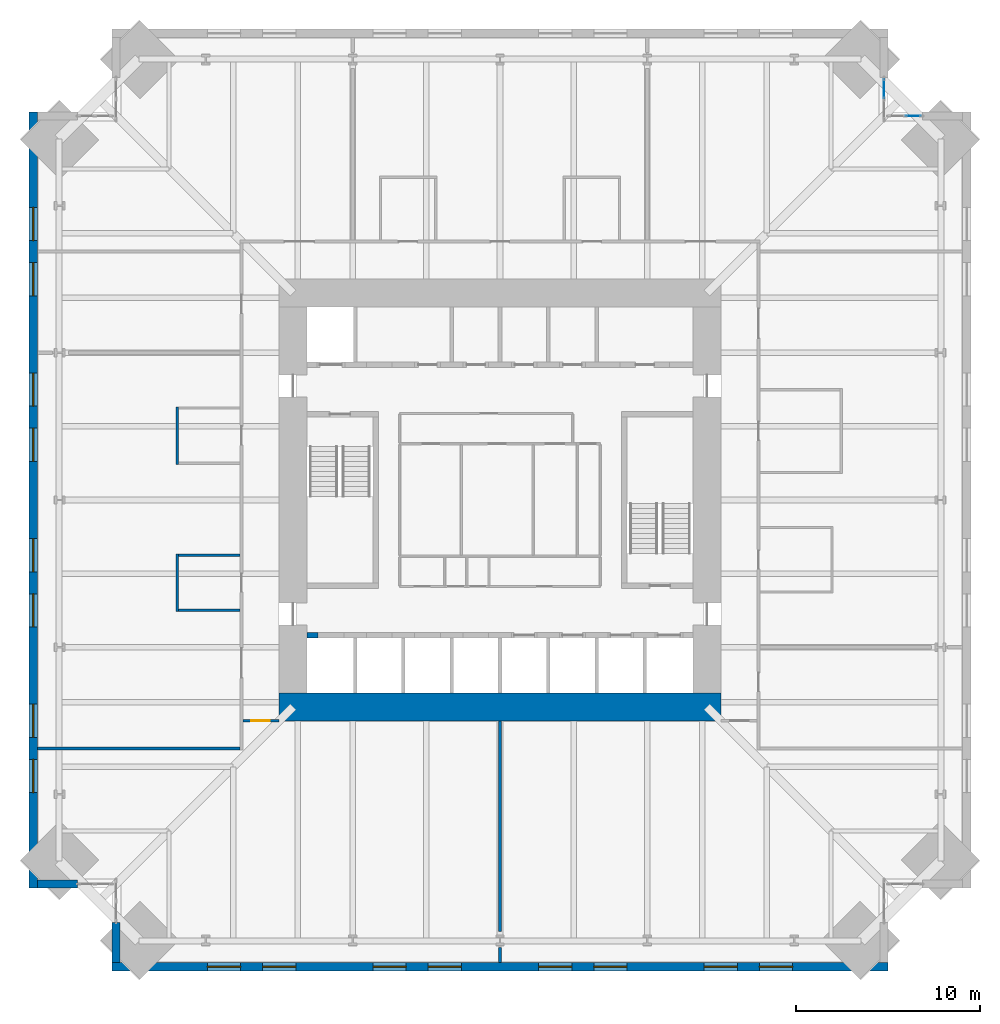
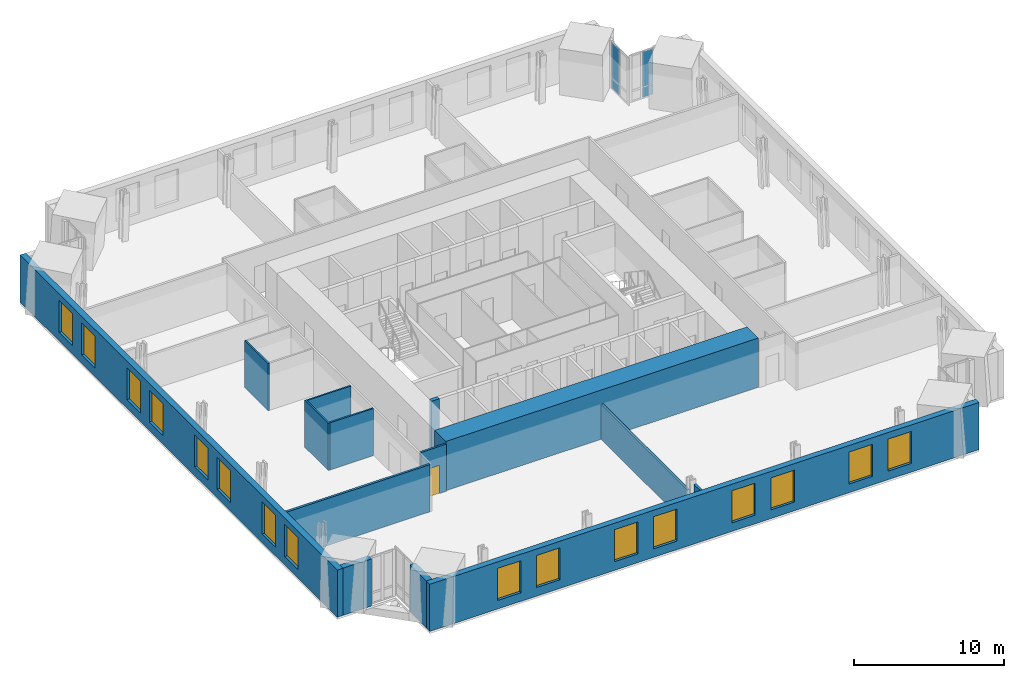
# One storey, part 13 of 18: 16 windows, 14 walls, 4 plates, 1 door, 17 openings, 2 elements without a shape of their own.
"""IFC4 building model written with IfcOpenShell, lengths in metres."""

from ifc_helpers import new_model, si_unit, direction, frame, frame_2d, origin, origin_2d, place, context, subcontext, project, spatial, rectangle, extrude, material, layer, layer_set, type_object, element, fill, aggregate, save


model = new_model("IFC4")

# Units and contexts
model_context = context("Model", 3, precision=1e-05, world=origin(), true_north=direction((0.0, 1.0)))
body_context = subcontext(model_context, "Body", "Model", "MODEL_VIEW")
ifc_project = project(units=[si_unit("LENGTHUNIT", "METRE"), si_unit("AREAUNIT", "SQUARE_METRE"), si_unit("VOLUMEUNIT", "CUBIC_METRE"), si_unit("PLANEANGLEUNIT", "RADIAN"), si_unit("MASSUNIT", "GRAM", prefix="KILO")], contexts=[model_context])

# Site, building, storey
site_placement = place(None, origin())
site = spatial("IfcSite", under=ifc_project, at=site_placement, CompositionType="ELEMENT")
building_placement = place(site_placement, origin())
building = spatial("IfcBuilding", under=site, at=building_placement, Name="Peilmerk Tower", CompositionType="ELEMENT")
storey_placement = place(building_placement, frame((0.0, 0.0, 171.800048828125)))
storey = spatial("IfcBuildingStorey", under=building, at=storey_placement, Name="L36", CompositionType="ELEMENT", Elevation=171.800048828125)

# Curtain wall, plates
ifc_material_1 = material(Name="Aluminium stick curtain wall", Category="aluminium")
curtain_wall_type = type_object("IfcCurtainWallType", Name="CW3 stick curtain wall, 2250 module", PredefinedType="NOTDEFINED", material=ifc_material_1)
curtain_wall_1_placement = place(storey_placement, origin())
curtain_wall_1 = element("IfcCurtainWall", 1, at=curtain_wall_1_placement, inside=storey, type_object=curtain_wall_type, Name="Curtain wall CW3 NEA L36", PredefinedType="NOTDEFINED")
ifc_material_2 = material(Name="Clear insulated glazing unit", Category="glass")
ifc_layer_1 = layer(ifc_material_2, 0.028076171875)
ifc_layer_set_1 = layer_set([ifc_layer_1], Name="Clear insulated glazing unit")
plate_type = type_object("IfcPlateType", Name="CW3-P 28 glazed panel", PredefinedType="CURTAIN_PANEL", material=ifc_layer_set_1)
plate_1_placement = place(storey_placement, frame((20.875, 22.350341796875, 0.06494140625), z_axis=(0.0, 0.0, 1.0), x_axis=(0.0, 1.0, 0.0)))
plate_1 = element("IfcPlate", 2, at=plate_1_placement, type_object=plate_type, Name="CW3 panel 2.1", PredefinedType="CURTAIN_PANEL", context=body_context, shape_type="SweptSolid", body=[
    extrude(rectangle(XDim=1.046875, YDim=0.028076171875, at=origin_2d()), origin(), (0.0, 0.0, 1.0), 0.802490234375),
])
plate_2_placement = place(storey_placement, frame((20.875, 22.350341796875, 0.932373046875), z_axis=(0.0, 0.0, 1.0), x_axis=(0.0, 1.0, 0.0)))
plate_2 = element("IfcPlate", 3, at=plate_2_placement, type_object=plate_type, Name="CW3 panel 2.2", PredefinedType="CURTAIN_PANEL", context=body_context, shape_type="SweptSolid", body=[
    extrude(rectangle(XDim=1.046875, YDim=0.028076171875, at=origin_2d()), origin(), (0.0, 0.0, 1.0), 2.83251953125),
])
aggregate(curtain_wall_1, [plate_1, plate_2])

curtain_wall_2_placement = place(storey_placement, origin())
curtain_wall_2 = element("IfcCurtainWall", 4, at=curtain_wall_2_placement, inside=storey, type_object=curtain_wall_type, Name="Curtain wall CW3 NEB L36", PredefinedType="NOTDEFINED")
plate_3_placement = place(storey_placement, frame((22.462646484375, 20.875, 0.06494140625), z_axis=(0.0, 0.0, 1.0), x_axis=(1.0, 0.0, 0.0)))
plate_3 = element("IfcPlate", 5, at=plate_3_placement, type_object=plate_type, Name="CW3 panel 2.1", PredefinedType="CURTAIN_PANEL", context=body_context, shape_type="SweptSolid", body=[
    extrude(rectangle(XDim=0.82177734375, YDim=0.028076171875, at=origin_2d()), origin(), (0.0, 0.0, 1.0), 0.802490234375),
])
plate_4_placement = place(storey_placement, frame((22.462646484375, 20.875, 0.932373046875), z_axis=(0.0, 0.0, 1.0), x_axis=(1.0, 0.0, 0.0)))
plate_4 = element("IfcPlate", 6, at=plate_4_placement, type_object=plate_type, Name="CW3 panel 2.2", PredefinedType="CURTAIN_PANEL", context=body_context, shape_type="SweptSolid", body=[
    extrude(rectangle(XDim=0.82177734375, YDim=0.028076171875, at=origin_2d()), origin(), (0.0, 0.0, 1.0), 2.83251953125),
])
aggregate(curtain_wall_2, [plate_3, plate_4])

# Wall, openings, windows
ifc_material_3 = material(Name="Precast concrete C45/55, board-marked finish", Category="concrete")
ifc_layer_2 = layer(ifc_material_3, 0.449951171875)
ifc_layer_set_2 = layer_set([ifc_layer_2], Name="Precast concrete C45/55, board-marked finish")
wall_type_1 = type_object("IfcWallType", Name="EW1 450 precast concrete facade wall, board-marked", PredefinedType="SOLIDWALL", material=ifc_layer_set_2)
wall_1_placement = place(storey_placement, frame((-21.10009765625, -25.375, 0.0), z_axis=(0.0, 0.0, 1.0), x_axis=(1.0, 0.0, 0.0)))
wall_1 = element("IfcWall", 7, at=wall_1_placement, inside=storey, type_object=wall_type_1, Name="Facade wall S L36", PredefinedType="SOLIDWALL", context=body_context, shape_type="SweptSolid", body=[
    extrude(rectangle(XDim=42.2001953125, YDim=0.449951171875, at=frame_2d((21.10009765625, 0.0))), origin(), (0.0, 0.0, 1.0), 3.829833984375),
])
opening_1_placement = place(wall_1_placement, frame((5.199951171875, 0.0, 0.699951171875)))
opening_1 = element("IfcOpeningElement", 8, at=opening_1_placement, cuts=wall_1, Name="Opening W1", PredefinedType="OPENING", context=body_context, shape_type="SweptSolid", body=[
    extrude(rectangle(XDim=1.800048828125, YDim=2.60009765625, at=frame_2d((0.89990234375, 1.300048828125))), frame((0.0, 0.23486328125, 0.0), z_axis=(0.0, -1.0, 0.0), x_axis=(1.0, 0.0, 0.0)), (0.0, 0.0, 1.0), 0.469970703125),
])
opening_2_placement = place(wall_1_placement, frame((8.199951171875, 0.0, 0.699951171875)))
opening_2 = element("IfcOpeningElement", 9, at=opening_2_placement, cuts=wall_1, Name="Opening W1", PredefinedType="OPENING", context=body_context, shape_type="SweptSolid", body=[
    extrude(rectangle(XDim=1.800048828125, YDim=2.60009765625, at=frame_2d((0.89990234375, 1.300048828125))), frame((0.0, 0.23486328125, 0.0), z_axis=(0.0, -1.0, 0.0), x_axis=(1.0, 0.0, 0.0)), (0.0, 0.0, 1.0), 0.469970703125),
])
opening_3_placement = place(wall_1_placement, frame((14.199951171875, 0.0, 0.699951171875)))
opening_3 = element("IfcOpeningElement", 10, at=opening_3_placement, cuts=wall_1, Name="Opening W1", PredefinedType="OPENING", context=body_context, shape_type="SweptSolid", body=[
    extrude(rectangle(XDim=1.800048828125, YDim=2.60009765625, at=frame_2d((0.89990234375, 1.300048828125))), frame((0.0, 0.23486328125, 0.0), z_axis=(0.0, -1.0, 0.0), x_axis=(1.0, 0.0, 0.0)), (0.0, 0.0, 1.0), 0.469970703125),
])
opening_4_placement = place(wall_1_placement, frame((17.199951171875, 0.0, 0.699951171875)))
opening_4 = element("IfcOpeningElement", 11, at=opening_4_placement, cuts=wall_1, Name="Opening W1", PredefinedType="OPENING", context=body_context, shape_type="SweptSolid", body=[
    extrude(rectangle(XDim=1.800048828125, YDim=2.60009765625, at=frame_2d((0.89990234375, 1.300048828125))), frame((0.0, 0.23486328125, 0.0), z_axis=(0.0, -1.0, 0.0), x_axis=(1.0, 0.0, 0.0)), (0.0, 0.0, 1.0), 0.469970703125),
])
opening_5_placement = place(wall_1_placement, frame((23.199951171875, 0.0, 0.699951171875)))
opening_5 = element("IfcOpeningElement", 12, at=opening_5_placement, cuts=wall_1, Name="Opening W1", PredefinedType="OPENING", context=body_context, shape_type="SweptSolid", body=[
    extrude(rectangle(XDim=1.800048828125, YDim=2.60009765625, at=frame_2d((0.89990234375, 1.300048828125))), frame((0.0, 0.23486328125, 0.0), z_axis=(0.0, -1.0, 0.0), x_axis=(1.0, 0.0, 0.0)), (0.0, 0.0, 1.0), 0.469970703125),
])
opening_6_placement = place(wall_1_placement, frame((26.199951171875, 0.0, 0.699951171875)))
opening_6 = element("IfcOpeningElement", 13, at=opening_6_placement, cuts=wall_1, Name="Opening W1", PredefinedType="OPENING", context=body_context, shape_type="SweptSolid", body=[
    extrude(rectangle(XDim=1.800048828125, YDim=2.60009765625, at=frame_2d((0.89990234375, 1.300048828125))), frame((0.0, 0.23486328125, 0.0), z_axis=(0.0, -1.0, 0.0), x_axis=(1.0, 0.0, 0.0)), (0.0, 0.0, 1.0), 0.469970703125),
])
opening_7_placement = place(wall_1_placement, frame((32.199951171875, 0.0, 0.699951171875)))
opening_7 = element("IfcOpeningElement", 14, at=opening_7_placement, cuts=wall_1, Name="Opening W1", PredefinedType="OPENING", context=body_context, shape_type="SweptSolid", body=[
    extrude(rectangle(XDim=1.800048828125, YDim=2.60009765625, at=frame_2d((0.89990234375, 1.300048828125))), frame((0.0, 0.23486328125, 0.0), z_axis=(0.0, -1.0, 0.0), x_axis=(1.0, 0.0, 0.0)), (0.0, 0.0, 1.0), 0.469970703125),
])
opening_8_placement = place(wall_1_placement, frame((35.199951171875, 0.0, 0.699951171875)))
opening_8 = element("IfcOpeningElement", 15, at=opening_8_placement, cuts=wall_1, Name="Opening W1", PredefinedType="OPENING", context=body_context, shape_type="SweptSolid", body=[
    extrude(rectangle(XDim=1.800048828125, YDim=2.60009765625, at=frame_2d((0.89990234375, 1.300048828125))), frame((0.0, 0.23486328125, 0.0), z_axis=(0.0, -1.0, 0.0), x_axis=(1.0, 0.0, 0.0)), (0.0, 0.0, 1.0), 0.469970703125),
])
ifc_material_4 = material(Name="Aluminium frame, clear double glazing", Category="aluminium")
window_type = type_object("IfcWindowType", Name="W1 1800x2600 office window", PartitioningType="SINGLE_PANEL", PredefinedType="WINDOW", material=ifc_material_4)
window_1_placement = place(opening_1_placement, origin())
window_1 = element("IfcWindow", 16, at=window_1_placement, inside=storey, type_object=window_type, Name="Window W1 L36", OverallHeight=2.60009765625, OverallWidth=1.800048828125, PartitioningType="SINGLE_PANEL", PredefinedType="WINDOW", context=body_context, shape_type="SweptSolid", body=[
    extrude(rectangle(XDim=1.800048828125, YDim=2.60009765625, at=frame_2d((0.89990234375, 1.300048828125))), frame((0.0, 0.030029296875, 0.0), z_axis=(0.0, -1.0, 0.0), x_axis=(1.0, 0.0, 0.0)), (0.0, 0.0, 1.0), 0.06005859375),
])
fill(opening_1, window_1)
window_2_placement = place(opening_2_placement, origin())
window_2 = element("IfcWindow", 17, at=window_2_placement, inside=storey, type_object=window_type, Name="Window W1 L36", OverallHeight=2.60009765625, OverallWidth=1.800048828125, PartitioningType="SINGLE_PANEL", PredefinedType="WINDOW", context=body_context, shape_type="SweptSolid", body=[
    extrude(rectangle(XDim=1.800048828125, YDim=2.60009765625, at=frame_2d((0.89990234375, 1.300048828125))), frame((0.0, 0.030029296875, 0.0), z_axis=(0.0, -1.0, 0.0), x_axis=(1.0, 0.0, 0.0)), (0.0, 0.0, 1.0), 0.06005859375),
])
fill(opening_2, window_2)
window_3_placement = place(opening_3_placement, origin())
window_3 = element("IfcWindow", 18, at=window_3_placement, inside=storey, type_object=window_type, Name="Window W1 L36", OverallHeight=2.60009765625, OverallWidth=1.800048828125, PartitioningType="SINGLE_PANEL", PredefinedType="WINDOW", context=body_context, shape_type="SweptSolid", body=[
    extrude(rectangle(XDim=1.800048828125, YDim=2.60009765625, at=frame_2d((0.89990234375, 1.300048828125))), frame((0.0, 0.030029296875, 0.0), z_axis=(0.0, -1.0, 0.0), x_axis=(1.0, 0.0, 0.0)), (0.0, 0.0, 1.0), 0.06005859375),
])
fill(opening_3, window_3)
window_4_placement = place(opening_4_placement, origin())
window_4 = element("IfcWindow", 19, at=window_4_placement, inside=storey, type_object=window_type, Name="Window W1 L36", OverallHeight=2.60009765625, OverallWidth=1.800048828125, PartitioningType="SINGLE_PANEL", PredefinedType="WINDOW", context=body_context, shape_type="SweptSolid", body=[
    extrude(rectangle(XDim=1.800048828125, YDim=2.60009765625, at=frame_2d((0.89990234375, 1.300048828125))), frame((0.0, 0.030029296875, 0.0), z_axis=(0.0, -1.0, 0.0), x_axis=(1.0, 0.0, 0.0)), (0.0, 0.0, 1.0), 0.06005859375),
])
fill(opening_4, window_4)
window_5_placement = place(opening_5_placement, origin())
window_5 = element("IfcWindow", 20, at=window_5_placement, inside=storey, type_object=window_type, Name="Window W1 L36", OverallHeight=2.60009765625, OverallWidth=1.800048828125, PartitioningType="SINGLE_PANEL", PredefinedType="WINDOW", context=body_context, shape_type="SweptSolid", body=[
    extrude(rectangle(XDim=1.800048828125, YDim=2.60009765625, at=frame_2d((0.89990234375, 1.300048828125))), frame((0.0, 0.030029296875, 0.0), z_axis=(0.0, -1.0, 0.0), x_axis=(1.0, 0.0, 0.0)), (0.0, 0.0, 1.0), 0.06005859375),
])
fill(opening_5, window_5)
window_6_placement = place(opening_6_placement, origin())
window_6 = element("IfcWindow", 21, at=window_6_placement, inside=storey, type_object=window_type, Name="Window W1 L36", OverallHeight=2.60009765625, OverallWidth=1.800048828125, PartitioningType="SINGLE_PANEL", PredefinedType="WINDOW", context=body_context, shape_type="SweptSolid", body=[
    extrude(rectangle(XDim=1.800048828125, YDim=2.60009765625, at=frame_2d((0.89990234375, 1.300048828125))), frame((0.0, 0.030029296875, 0.0), z_axis=(0.0, -1.0, 0.0), x_axis=(1.0, 0.0, 0.0)), (0.0, 0.0, 1.0), 0.06005859375),
])
fill(opening_6, window_6)
window_7_placement = place(opening_7_placement, origin())
window_7 = element("IfcWindow", 22, at=window_7_placement, inside=storey, type_object=window_type, Name="Window W1 L36", OverallHeight=2.60009765625, OverallWidth=1.800048828125, PartitioningType="SINGLE_PANEL", PredefinedType="WINDOW", context=body_context, shape_type="SweptSolid", body=[
    extrude(rectangle(XDim=1.800048828125, YDim=2.60009765625, at=frame_2d((0.89990234375, 1.300048828125))), frame((0.0, 0.030029296875, 0.0), z_axis=(0.0, -1.0, 0.0), x_axis=(1.0, 0.0, 0.0)), (0.0, 0.0, 1.0), 0.06005859375),
])
fill(opening_7, window_7)
window_8_placement = place(opening_8_placement, origin())
window_8 = element("IfcWindow", 23, at=window_8_placement, inside=storey, type_object=window_type, Name="Window W1 L36", OverallHeight=2.60009765625, OverallWidth=1.800048828125, PartitioningType="SINGLE_PANEL", PredefinedType="WINDOW", context=body_context, shape_type="SweptSolid", body=[
    extrude(rectangle(XDim=1.800048828125, YDim=2.60009765625, at=frame_2d((0.89990234375, 1.300048828125))), frame((0.0, 0.030029296875, 0.0), z_axis=(0.0, -1.0, 0.0), x_axis=(1.0, 0.0, 0.0)), (0.0, 0.0, 1.0), 0.06005859375),
])
fill(opening_8, window_8)

wall_2_placement = place(storey_placement, frame((-25.375, 21.10009765625, 0.0), z_axis=(0.0, 0.0, 1.0), x_axis=(0.0, -1.0, 0.0)))
wall_2 = element("IfcWall", 24, at=wall_2_placement, inside=storey, type_object=wall_type_1, Name="Facade wall W L36", PredefinedType="SOLIDWALL", context=body_context, shape_type="SweptSolid", body=[
    extrude(rectangle(XDim=42.2001953125, YDim=0.449951171875, at=frame_2d((21.10009765625, 0.0))), origin(), (0.0, 0.0, 1.0), 3.829833984375),
])
opening_9_placement = place(wall_2_placement, frame((5.199951171875, 0.0, 0.699951171875)))
opening_9 = element("IfcOpeningElement", 25, at=opening_9_placement, cuts=wall_2, Name="Opening W1", PredefinedType="OPENING", context=body_context, shape_type="SweptSolid", body=[
    extrude(rectangle(XDim=1.800048828125, YDim=2.60009765625, at=frame_2d((0.89990234375, 1.300048828125))), frame((0.0, 0.23486328125, 0.0), z_axis=(0.0, -1.0, 0.0), x_axis=(1.0, 0.0, 0.0)), (0.0, 0.0, 1.0), 0.469970703125),
])
opening_10_placement = place(wall_2_placement, frame((8.199951171875, 0.0, 0.699951171875)))
opening_10 = element("IfcOpeningElement", 26, at=opening_10_placement, cuts=wall_2, Name="Opening W1", PredefinedType="OPENING", context=body_context, shape_type="SweptSolid", body=[
    extrude(rectangle(XDim=1.800048828125, YDim=2.60009765625, at=frame_2d((0.89990234375, 1.300048828125))), frame((0.0, 0.23486328125, 0.0), z_axis=(0.0, -1.0, 0.0), x_axis=(1.0, 0.0, 0.0)), (0.0, 0.0, 1.0), 0.469970703125),
])
opening_11_placement = place(wall_2_placement, frame((14.199951171875, 0.0, 0.699951171875)))
opening_11 = element("IfcOpeningElement", 27, at=opening_11_placement, cuts=wall_2, Name="Opening W1", PredefinedType="OPENING", context=body_context, shape_type="SweptSolid", body=[
    extrude(rectangle(XDim=1.800048828125, YDim=2.60009765625, at=frame_2d((0.89990234375, 1.300048828125))), frame((0.0, 0.23486328125, 0.0), z_axis=(0.0, -1.0, 0.0), x_axis=(1.0, 0.0, 0.0)), (0.0, 0.0, 1.0), 0.469970703125),
])
opening_12_placement = place(wall_2_placement, frame((17.199951171875, 0.0, 0.699951171875)))
opening_12 = element("IfcOpeningElement", 28, at=opening_12_placement, cuts=wall_2, Name="Opening W1", PredefinedType="OPENING", context=body_context, shape_type="SweptSolid", body=[
    extrude(rectangle(XDim=1.800048828125, YDim=2.60009765625, at=frame_2d((0.89990234375, 1.300048828125))), frame((0.0, 0.23486328125, 0.0), z_axis=(0.0, -1.0, 0.0), x_axis=(1.0, 0.0, 0.0)), (0.0, 0.0, 1.0), 0.469970703125),
])
opening_13_placement = place(wall_2_placement, frame((23.199951171875, 0.0, 0.699951171875)))
opening_13 = element("IfcOpeningElement", 29, at=opening_13_placement, cuts=wall_2, Name="Opening W1", PredefinedType="OPENING", context=body_context, shape_type="SweptSolid", body=[
    extrude(rectangle(XDim=1.800048828125, YDim=2.60009765625, at=frame_2d((0.89990234375, 1.300048828125))), frame((0.0, 0.23486328125, 0.0), z_axis=(0.0, -1.0, 0.0), x_axis=(1.0, 0.0, 0.0)), (0.0, 0.0, 1.0), 0.469970703125),
])
opening_14_placement = place(wall_2_placement, frame((26.199951171875, 0.0, 0.699951171875)))
opening_14 = element("IfcOpeningElement", 30, at=opening_14_placement, cuts=wall_2, Name="Opening W1", PredefinedType="OPENING", context=body_context, shape_type="SweptSolid", body=[
    extrude(rectangle(XDim=1.800048828125, YDim=2.60009765625, at=frame_2d((0.89990234375, 1.300048828125))), frame((0.0, 0.23486328125, 0.0), z_axis=(0.0, -1.0, 0.0), x_axis=(1.0, 0.0, 0.0)), (0.0, 0.0, 1.0), 0.469970703125),
])
opening_15_placement = place(wall_2_placement, frame((32.199951171875, 0.0, 0.699951171875)))
opening_15 = element("IfcOpeningElement", 31, at=opening_15_placement, cuts=wall_2, Name="Opening W1", PredefinedType="OPENING", context=body_context, shape_type="SweptSolid", body=[
    extrude(rectangle(XDim=1.800048828125, YDim=2.60009765625, at=frame_2d((0.89990234375, 1.300048828125))), frame((0.0, 0.23486328125, 0.0), z_axis=(0.0, -1.0, 0.0), x_axis=(1.0, 0.0, 0.0)), (0.0, 0.0, 1.0), 0.469970703125),
])
opening_16_placement = place(wall_2_placement, frame((35.199951171875, 0.0, 0.699951171875)))
opening_16 = element("IfcOpeningElement", 32, at=opening_16_placement, cuts=wall_2, Name="Opening W1", PredefinedType="OPENING", context=body_context, shape_type="SweptSolid", body=[
    extrude(rectangle(XDim=1.800048828125, YDim=2.60009765625, at=frame_2d((0.89990234375, 1.300048828125))), frame((0.0, 0.23486328125, 0.0), z_axis=(0.0, -1.0, 0.0), x_axis=(1.0, 0.0, 0.0)), (0.0, 0.0, 1.0), 0.469970703125),
])
window_9_placement = place(opening_9_placement, origin())
window_9 = element("IfcWindow", 33, at=window_9_placement, inside=storey, type_object=window_type, Name="Window W1 L36", OverallHeight=2.60009765625, OverallWidth=1.800048828125, PartitioningType="SINGLE_PANEL", PredefinedType="WINDOW", context=body_context, shape_type="SweptSolid", body=[
    extrude(rectangle(XDim=1.800048828125, YDim=2.60009765625, at=frame_2d((0.89990234375, 1.300048828125))), frame((0.0, 0.030029296875, 0.0), z_axis=(0.0, -1.0, 0.0), x_axis=(1.0, 0.0, 0.0)), (0.0, 0.0, 1.0), 0.06005859375),
])
fill(opening_9, window_9)
window_10_placement = place(opening_10_placement, origin())
window_10 = element("IfcWindow", 34, at=window_10_placement, inside=storey, type_object=window_type, Name="Window W1 L36", OverallHeight=2.60009765625, OverallWidth=1.800048828125, PartitioningType="SINGLE_PANEL", PredefinedType="WINDOW", context=body_context, shape_type="SweptSolid", body=[
    extrude(rectangle(XDim=1.800048828125, YDim=2.60009765625, at=frame_2d((0.89990234375, 1.300048828125))), frame((0.0, 0.030029296875, 0.0), z_axis=(0.0, -1.0, 0.0), x_axis=(1.0, 0.0, 0.0)), (0.0, 0.0, 1.0), 0.06005859375),
])
fill(opening_10, window_10)
window_11_placement = place(opening_11_placement, origin())
window_11 = element("IfcWindow", 35, at=window_11_placement, inside=storey, type_object=window_type, Name="Window W1 L36", OverallHeight=2.60009765625, OverallWidth=1.800048828125, PartitioningType="SINGLE_PANEL", PredefinedType="WINDOW", context=body_context, shape_type="SweptSolid", body=[
    extrude(rectangle(XDim=1.800048828125, YDim=2.60009765625, at=frame_2d((0.89990234375, 1.300048828125))), frame((0.0, 0.030029296875, 0.0), z_axis=(0.0, -1.0, 0.0), x_axis=(1.0, 0.0, 0.0)), (0.0, 0.0, 1.0), 0.06005859375),
])
fill(opening_11, window_11)
window_12_placement = place(opening_12_placement, origin())
window_12 = element("IfcWindow", 36, at=window_12_placement, inside=storey, type_object=window_type, Name="Window W1 L36", OverallHeight=2.60009765625, OverallWidth=1.800048828125, PartitioningType="SINGLE_PANEL", PredefinedType="WINDOW", context=body_context, shape_type="SweptSolid", body=[
    extrude(rectangle(XDim=1.800048828125, YDim=2.60009765625, at=frame_2d((0.89990234375, 1.300048828125))), frame((0.0, 0.030029296875, 0.0), z_axis=(0.0, -1.0, 0.0), x_axis=(1.0, 0.0, 0.0)), (0.0, 0.0, 1.0), 0.06005859375),
])
fill(opening_12, window_12)
window_13_placement = place(opening_13_placement, origin())
window_13 = element("IfcWindow", 37, at=window_13_placement, inside=storey, type_object=window_type, Name="Window W1 L36", OverallHeight=2.60009765625, OverallWidth=1.800048828125, PartitioningType="SINGLE_PANEL", PredefinedType="WINDOW", context=body_context, shape_type="SweptSolid", body=[
    extrude(rectangle(XDim=1.800048828125, YDim=2.60009765625, at=frame_2d((0.89990234375, 1.300048828125))), frame((0.0, 0.030029296875, 0.0), z_axis=(0.0, -1.0, 0.0), x_axis=(1.0, 0.0, 0.0)), (0.0, 0.0, 1.0), 0.06005859375),
])
fill(opening_13, window_13)
window_14_placement = place(opening_14_placement, origin())
window_14 = element("IfcWindow", 38, at=window_14_placement, inside=storey, type_object=window_type, Name="Window W1 L36", OverallHeight=2.60009765625, OverallWidth=1.800048828125, PartitioningType="SINGLE_PANEL", PredefinedType="WINDOW", context=body_context, shape_type="SweptSolid", body=[
    extrude(rectangle(XDim=1.800048828125, YDim=2.60009765625, at=frame_2d((0.89990234375, 1.300048828125))), frame((0.0, 0.030029296875, 0.0), z_axis=(0.0, -1.0, 0.0), x_axis=(1.0, 0.0, 0.0)), (0.0, 0.0, 1.0), 0.06005859375),
])
fill(opening_14, window_14)
window_15_placement = place(opening_15_placement, origin())
window_15 = element("IfcWindow", 39, at=window_15_placement, inside=storey, type_object=window_type, Name="Window W1 L36", OverallHeight=2.60009765625, OverallWidth=1.800048828125, PartitioningType="SINGLE_PANEL", PredefinedType="WINDOW", context=body_context, shape_type="SweptSolid", body=[
    extrude(rectangle(XDim=1.800048828125, YDim=2.60009765625, at=frame_2d((0.89990234375, 1.300048828125))), frame((0.0, 0.030029296875, 0.0), z_axis=(0.0, -1.0, 0.0), x_axis=(1.0, 0.0, 0.0)), (0.0, 0.0, 1.0), 0.06005859375),
])
fill(opening_15, window_15)
window_16_placement = place(opening_16_placement, origin())
window_16 = element("IfcWindow", 40, at=window_16_placement, inside=storey, type_object=window_type, Name="Window W1 L36", OverallHeight=2.60009765625, OverallWidth=1.800048828125, PartitioningType="SINGLE_PANEL", PredefinedType="WINDOW", context=body_context, shape_type="SweptSolid", body=[
    extrude(rectangle(XDim=1.800048828125, YDim=2.60009765625, at=frame_2d((0.89990234375, 1.300048828125))), frame((0.0, 0.030029296875, 0.0), z_axis=(0.0, -1.0, 0.0), x_axis=(1.0, 0.0, 0.0)), (0.0, 0.0, 1.0), 0.06005859375),
])
fill(opening_16, window_16)

# Walls
for number, where, z_axis, x_axis, name in (
    (41, (-20.875, -22.95361328125, 0.0), (0.0, 0.0, 1.0), (0.0, -1.0, 0.0), "Facade wall SWA L36"),
    (42, (-22.95361328125, -20.875, 0.0), (0.0, 0.0, 1.0), (-1.0, 0.0, 0.0), "Facade wall SWB L36"),
):
    element("IfcWall", number, at=place(storey_placement, frame(where, z_axis=z_axis, x_axis=x_axis)), inside=storey, type_object=wall_type_1, Name=name, PredefinedType="SOLIDWALL", context=body_context, shape_type="SweptSolid", body=[
        extrude(rectangle(XDim=2.1962890625, YDim=0.449951171875, at=frame_2d((1.09814453125, 0.0))), origin(), (0.0, 0.0, 1.0), 3.829833984375),
    ])

# Wall, opening, door
ifc_material_5 = material(Name="Calcium silicate block", Category="masonry")
ifc_layer_3 = layer(ifc_material_5, 0.14990234375)
ifc_layer_set_3 = layer_set([ifc_layer_3], Name="Calcium silicate block")
wall_type_2 = type_object("IfcWallType", Name="IW1 150 corridor partition, EI 60", PredefinedType="PARTITIONING", material=ifc_layer_set_3)
wall_3_placement = place(storey_placement, frame((-12.0, -12.0, 0.0), z_axis=(0.0, 0.0, 1.0), x_axis=(-1.0, 0.0, 0.0)))
wall_3 = element("IfcWall", 43, at=wall_3_placement, inside=storey, type_object=wall_type_2, Name="Corridor wall SW L36", PredefinedType="PARTITIONING", context=body_context, shape_type="SweptSolid", body=[
    extrude(rectangle(XDim=1.97509765625, YDim=0.14990234375, at=frame_2d((0.987548828125, 0.0))), origin(), (0.0, 0.0, 1.0), 3.829833984375),
])
opening_17_placement = place(wall_3_placement, frame((0.52490234375, 0.0, 0.0)))
opening_17 = element("IfcOpeningElement", 44, at=opening_17_placement, cuts=wall_3, Name="Opening D1", PredefinedType="OPENING", context=body_context, shape_type="SweptSolid", body=[
    extrude(rectangle(XDim=1.0, YDim=2.300048828125, at=frame_2d((0.5, 1.14990234375))), frame((0.0, 0.0849609375, 0.0), z_axis=(0.0, -1.0, 0.0), x_axis=(1.0, 0.0, 0.0)), (0.0, 0.0, 1.0), 0.169921875),
])
ifc_material_6 = material(Name="Timber door in steel frame", Category="steel")
door_type = type_object("IfcDoorType", Name="D1 1000x2300 room door, EI2 30", OperationType="SINGLE_SWING_LEFT", PredefinedType="DOOR", material=ifc_material_6)
door_placement = place(opening_17_placement, origin())
door = element("IfcDoor", 45, at=door_placement, inside=storey, type_object=door_type, Name="Door Open workspace L36", OperationType="SINGLE_SWING_LEFT", OverallHeight=2.300048828125, OverallWidth=1.0, PredefinedType="DOOR", context=body_context, shape_type="SweptSolid", body=[
    extrude(rectangle(XDim=1.0, YDim=2.300048828125, at=frame_2d((0.5, 1.14990234375))), frame((0.0, 0.02490234375, 0.0), z_axis=(0.0, -1.0, 0.0), x_axis=(1.0, 0.0, 0.0)), (0.0, 0.0, 1.0), 0.050048828125),
])
fill(opening_17, door)

# Walls
ifc_material_7 = material(Name="Plasterboard on steel studs, double boarded with mineral wool", Category="steel")
ifc_layer_4 = layer(ifc_material_7, 0.125)
ifc_layer_set_4 = layer_set([ifc_layer_4], Name="Plasterboard on steel studs, double boarded with mineral wool")
wall_type_3 = type_object("IfcWallType", Name="IW7 125 acoustic partition, EI 30", PredefinedType="PARTITIONING", material=ifc_layer_set_4)
wall_4_placement = place(storey_placement, frame((-17.550048828125, -6.0625, 0.0), z_axis=(0.0, 0.0, 1.0), x_axis=(0.0, 1.0, 0.0)))
element("IfcWall", 46, at=wall_4_placement, inside=storey, type_object=wall_type_3, Name="Acoustic partition Focus room L36", PredefinedType="PARTITIONING", context=body_context, shape_type="SweptSolid", body=[
    extrude(rectangle(XDim=3.125, YDim=0.125, at=frame_2d((1.5625, 0.0))), origin(), (0.0, 0.0, 1.0), 3.829833984375),
])
for number, where, z_axis, x_axis, name in (
    (47, (-14.125, -6.0, 0.0), (0.0, 0.0, 1.0), (-1.0, 0.0, 0.0), "Acoustic partition Focus room L36"),
    (48, (-14.125, -3.0, 0.0), (0.0, 0.0, 1.0), (-1.0, 0.0, 0.0), "Acoustic partition Focus room L36"),
):
    element("IfcWall", number, at=place(storey_placement, frame(where, z_axis=z_axis, x_axis=x_axis)), inside=storey, type_object=wall_type_3, Name=name, PredefinedType="PARTITIONING", context=body_context, shape_type="SweptSolid", body=[
        extrude(rectangle(XDim=3.362548828125, YDim=0.125, at=frame_2d((1.68115234375, 0.0))), origin(), (0.0, 0.0, 1.0), 3.829833984375),
    ])
wall_5_placement = place(storey_placement, frame((-17.550048828125, 1.9375, 0.0), z_axis=(0.0, 0.0, 1.0), x_axis=(0.0, 1.0, 0.0)))
element("IfcWall", 49, at=wall_5_placement, inside=storey, type_object=wall_type_3, Name="Acoustic partition Focus room L36", PredefinedType="PARTITIONING", context=body_context, shape_type="SweptSolid", body=[
    extrude(rectangle(XDim=3.125, YDim=0.125, at=frame_2d((1.5625, 0.0))), origin(), (0.0, 0.0, 1.0), 3.829833984375),
])
ifc_layer_5 = layer(ifc_material_5, 0.175048828125)
ifc_layer_set_5 = layer_set([ifc_layer_5], Name="Calcium silicate block")
wall_type_4 = type_object("IfcWallType", Name="IW8 175 tenant separating wall, EI 60", PredefinedType="PARTITIONING", material=ifc_layer_set_5)
wall_6_placement = place(storey_placement, frame((-14.125, -13.5, 0.0), z_axis=(0.0, 0.0, 1.0), x_axis=(-1.0, 0.0, 0.0)))
element("IfcWall", 50, at=wall_6_placement, inside=storey, type_object=wall_type_4, Name="Tenant separating wall SW L36", PredefinedType="PARTITIONING", context=body_context, shape_type="SweptSolid", body=[
    extrude(rectangle(XDim=11.02490234375, YDim=0.175048828125, at=frame_2d((5.512451171875, 0.0))), origin(), (0.0, 0.0, 1.0), 3.829833984375),
])
wall_7_placement = place(storey_placement, frame((0.0, -12.0, 0.0), z_axis=(0.0, 0.0, 1.0), x_axis=(0.0, -1.0, 0.0)))
element("IfcWall", 51, at=wall_7_placement, inside=storey, type_object=wall_type_4, Name="Tenant separating wall S1 L36", PredefinedType="PARTITIONING", context=body_context, shape_type="SweptSolid", body=[
    extrude(rectangle(XDim=11.444091796875, YDim=0.175048828125, at=frame_2d((5.72216796875, 0.0))), origin(), (0.0, 0.0, 1.0), 2.83984375),
])
wall_8_placement = place(storey_placement, frame((0.0, -24.333251953125, 0.0), z_axis=(0.0, 0.0, 1.0), x_axis=(0.0, -1.0, 0.0)))
element("IfcWall", 52, at=wall_8_placement, inside=storey, type_object=wall_type_4, Name="Tenant separating wall S1b L36", PredefinedType="PARTITIONING", context=body_context, shape_type="SweptSolid", body=[
    extrude(rectangle(XDim=0.816650390625, YDim=0.175048828125, at=frame_2d((0.408203125, 0.0))), origin(), (0.0, 0.0, 1.0), 3.829833984375),
])
ifc_material_8 = material(Name="Concrete C55/67", Category="concrete")
ifc_layer_6 = layer(ifc_material_8, 1.5)
ifc_layer_set_6 = layer_set([ifc_layer_6], Name="Concrete C55/67")
wall_type_5 = type_object("IfcWallType", Name="SW1 1500 core wall", PredefinedType="SHEAR", material=ifc_layer_set_6)
wall_9_placement = place(storey_placement, frame((12.0, -11.25, 0.0), z_axis=(0.0, 0.0, 1.0), x_axis=(-1.0, 0.0, 0.0)))
element("IfcWall", 53, at=wall_9_placement, inside=storey, type_object=wall_type_5, Name="Core wall S L36", PredefinedType="SHEAR", context=body_context, shape_type="SweptSolid", body=[
    extrude(rectangle(XDim=24.0, YDim=1.5, at=frame_2d((12.0, 0.0))), origin(), (0.0, 0.0, 1.0), 4.0),
])
ifc_layer_7 = layer(ifc_material_8, 0.300048828125)
ifc_layer_set_7 = layer_set([ifc_layer_7], Name="Concrete C55/67")
wall_type_6 = type_object("IfcWallType", Name="SW2 300 lift bank pier", PredefinedType="SHEAR", material=ifc_layer_set_7)
wall_10_placement = place(storey_placement, frame((-10.5, -7.35009765625, 0.0), z_axis=(0.0, 0.0, 1.0), x_axis=(1.0, 0.0, 0.0)))
element("IfcWall", 54, at=wall_10_placement, inside=storey, type_object=wall_type_6, Name="Lift bank pier S L36", PredefinedType="SHEAR", context=body_context, shape_type="SweptSolid", body=[
    extrude(rectangle(XDim=0.612548828125, YDim=0.300048828125, at=frame_2d((0.30615234375, 0.0))), origin(), (0.0, 0.0, 1.0), 4.0),
])

save(model, "model.ifc")
